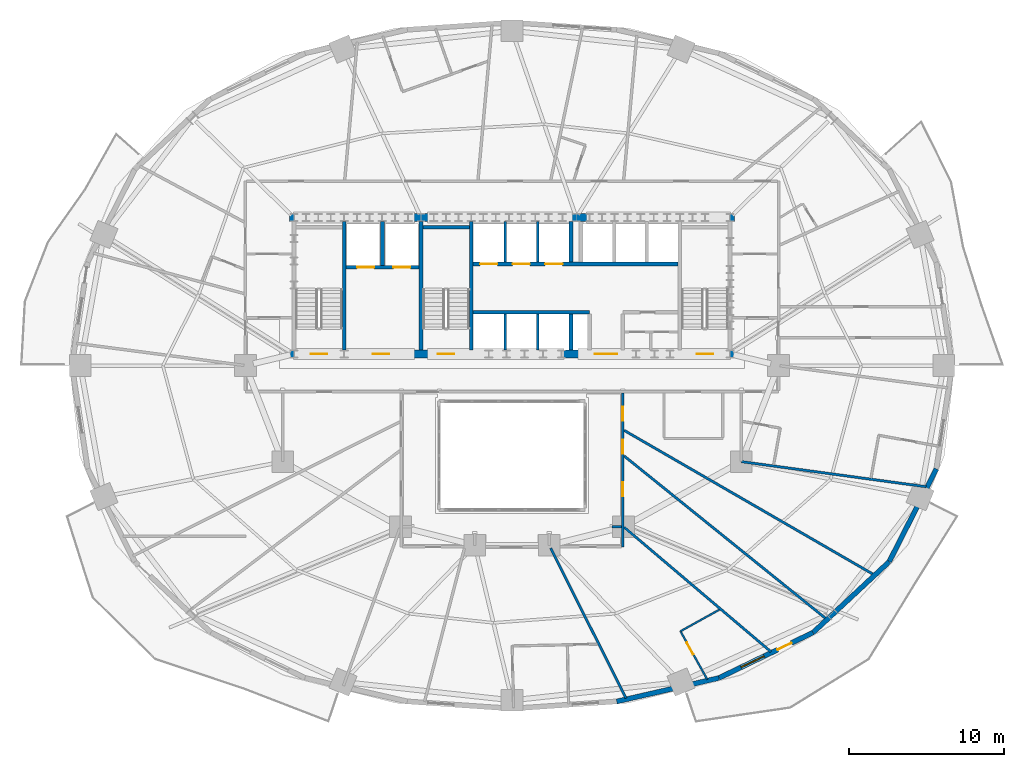
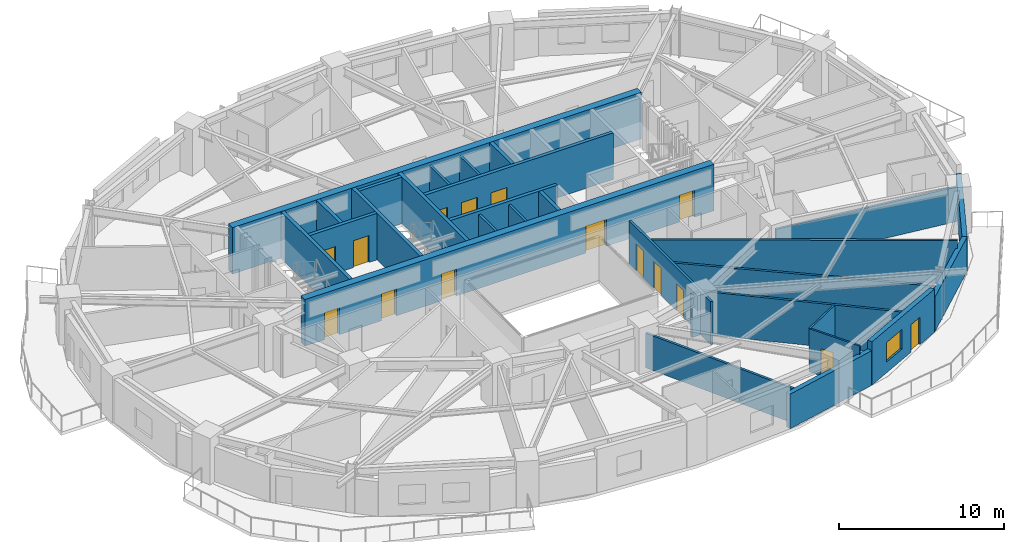
# One storey, part 9 of 15: 29 walls, 15 doors, 1 window, 16 openings.
"""IFC4 building model written with IfcOpenShell, lengths in metres."""

from ifc_helpers import new_model, si_unit, direction, frame, frame_2d, origin, place, context, subcontext, project, spatial, rectangle, extrude, material, layer, layer_set, type_object, element, fill, save


model = new_model("IFC4")

# Units and contexts
model_context = context("Model", 3, precision=1e-05, world=origin(), true_north=direction((0.0, 1.0)))
body_context = subcontext(model_context, "Body", "Model", "MODEL_VIEW")
ifc_project = project(units=[si_unit("LENGTHUNIT", "METRE"), si_unit("AREAUNIT", "SQUARE_METRE"), si_unit("VOLUMEUNIT", "CUBIC_METRE"), si_unit("PLANEANGLEUNIT", "RADIAN"), si_unit("MASSUNIT", "GRAM", prefix="KILO")], contexts=[model_context])

# Site, building, storey
site_placement = place(None, origin())
site = spatial("IfcSite", under=ifc_project, at=site_placement, CompositionType="ELEMENT")
building_placement = place(site_placement, origin())
building = spatial("IfcBuilding", under=site, at=building_placement, Name="Haldorwick Loom Tower", CompositionType="ELEMENT")
storey_placement = place(building_placement, frame((0.0, 0.0, 85.25)))
storey = spatial("IfcBuildingStorey", under=building, at=storey_placement, Name="L22", CompositionType="ELEMENT", Elevation=85.25)

# Wall
ifc_material_1 = material(Name="Pressed Clay Face Brick and Insulated Masonry Backup Assembly", Category="masonry")
ifc_layer_1 = layer(ifc_material_1, 0.320068359375, Name="Pressed Clay Face Brick and Insulated Masonry Backup Assembly", Category="masonry")
ifc_layer_set_1 = layer_set([ifc_layer_1], Name="Pressed Clay Face Brick and Insulated Masonry Backup Assembly")
wall_type_1 = type_object("IfcWallType", Name="ARC-WL-EXT320", PredefinedType="STANDARD", material=ifc_layer_set_1)
wall_1_placement = place(storey_placement, frame((42.757080078125, 4.325439453125, 0.0), z_axis=(0.0, 0.0, 1.0), x_axis=(0.974584177714, 0.224021607329, 0.0)))
element("IfcWall", 1, at=wall_1_placement, inside=storey, type_object=wall_type_1, Name="L22 Brick Pier and Spandrel Wall 20", PredefinedType="STANDARD", context=body_context, shape_type="SweptSolid", body=[
    extrude(rectangle(XDim=6.767822265625, YDim=0.320068359375, at=frame_2d((3.3837890625, 0.0))), origin(), (0.0, 0.0, 1.0), 2.569091796875),
])

# Wall, openings, door, window
wall_2_placement = place(storey_placement, frame((49.352783203125, 5.841552734375, 0.0), z_axis=(0.0, 0.0, 1.0), x_axis=(0.900510094661, 0.434835106004, 0.0)))
wall_2 = element("IfcWall", 2, at=wall_2_placement, inside=storey, type_object=wall_type_1, Name="L22 Brick Pier and Spandrel Wall 21", PredefinedType="STANDARD", context=body_context, shape_type="SweptSolid", body=[
    extrude(rectangle(XDim=6.744873046875, YDim=0.320068359375, at=frame_2d((3.37255859375, 0.0))), origin(), (0.0, 0.0, 1.0), 3.2099609375),
])
opening_1_placement = place(wall_2_placement, frame((4.198974609375, 0.0, 0.0)))
opening_1 = element("IfcOpeningElement", 3, at=opening_1_placement, cuts=wall_2, Name="Opening D-BL10", PredefinedType="OPENING", context=body_context, shape_type="SweptSolid", body=[
    extrude(rectangle(XDim=1.0, YDim=2.0400390625, at=frame_2d((0.5, 1.02001953125))), frame((0.0, 0.169921875, 0.0), z_axis=(0.0, -1.0, 0.0), x_axis=(1.0, 0.0, 0.0)), (0.0, 0.0, 1.0), 0.340087890625),
])
opening_2_placement = place(wall_2_placement, frame((1.5927734375, 0.0, 0.800048828125)))
opening_2 = element("IfcOpeningElement", 4, at=opening_2_placement, cuts=wall_2, Name="Opening W-01B", PredefinedType="OPENING", context=body_context, shape_type="SweptSolid", body=[
    extrude(rectangle(XDim=1.64990234375, YDim=1.449951171875, at=frame_2d((0.824951171875, 0.72509765625))), frame((0.0, 0.169921875, 0.0), z_axis=(0.0, -1.0, 0.0), x_axis=(1.0, 0.0, 0.0)), (0.0, 0.0, 1.0), 0.340087890625),
])
ifc_material_2 = material(Name="Thermally Broken Anodized Aluminium Curtain Wall Framing", Category="aluminium")
door_type_1 = type_object("IfcDoorType", Name="ARC-DR-BAL100", OperationType="NOTDEFINED", PredefinedType="DOOR", material=ifc_material_2)
door_1_placement = place(opening_1_placement, origin())
door_1 = element("IfcDoor", 5, at=door_1_placement, inside=storey, type_object=door_type_1, Name="L22 Outdoor Terrace Door SLB-L22-BAL_SE", OperationType="SINGLE_SWING_LEFT", OverallHeight=2.0400390625, OverallWidth=1.0, PredefinedType="DOOR", context=body_context, shape_type="SweptSolid", body=[
    extrude(rectangle(XDim=1.0, YDim=2.0400390625, at=frame_2d((0.5, 1.02001953125))), frame((0.0, 0.02490234375, 0.0), z_axis=(0.0, -1.0, 0.0), x_axis=(1.0, 0.0, 0.0)), (0.0, 0.0, 1.0), 0.050048828125),
])
fill(opening_1, door_1)
ifc_material_3 = material(Name="Triple-Glazed Low-E Argon Insulated Glazing Unit", Category="glass")
window_type = type_object("IfcWindowType", Name="ARC-WIN-W165", PartitioningType="SINGLE_PANEL", PredefinedType="WINDOW", material=ifc_material_3)
window_placement = place(opening_2_placement, origin())
window = element("IfcWindow", 6, at=window_placement, inside=storey, type_object=window_type, Name="L22 Deep-Set Zone 7A Window 21", OverallHeight=1.449951171875, OverallWidth=1.64990234375, PartitioningType="SINGLE_PANEL", PredefinedType="WINDOW", context=body_context, shape_type="SweptSolid", body=[
    extrude(rectangle(XDim=1.64990234375, YDim=1.449951171875, at=frame_2d((0.824951171875, 0.72509765625))), frame((0.0, 0.030029296875, 0.0), z_axis=(0.0, -1.0, 0.0), x_axis=(1.0, 0.0, 0.0)), (0.0, 0.0, 1.0), 0.06005859375),
])
fill(opening_2, window)

# Walls
wall_3_placement = place(storey_placement, frame((55.426513671875, 8.7744140625, 0.0), z_axis=(0.0, 0.0, 1.0), x_axis=(0.732137360086, 0.681157020052, 0.0)))
element("IfcWall", 7, at=wall_3_placement, inside=storey, type_object=wall_type_1, Name="L22 Brick Pier and Spandrel Wall 22", PredefinedType="STANDARD", context=body_context, shape_type="SweptSolid", body=[
    extrude(rectangle(XDim=6.709228515625, YDim=0.320068359375, at=frame_2d((3.3544921875, 0.0))), origin(), (0.0, 0.0, 1.0), 2.569091796875),
])
wall_4_placement = place(storey_placement, frame((60.338623046875, 13.344482421875, 0.0), z_axis=(0.0, 0.0, 1.0), x_axis=(0.453374078001, 0.89132033826, 0.0)))
element("IfcWall", 8, at=wall_4_placement, inside=storey, type_object=wall_type_1, Name="L22 Brick Pier and Spandrel Wall 23", PredefinedType="STANDARD", context=body_context, shape_type="SweptSolid", body=[
    extrude(rectangle(XDim=6.709716796875, YDim=0.320068359375, at=frame_2d((3.35498046875, 0.0))), origin(), (0.0, 0.0, 1.0), 2.569091796875),
])

# Wall, openings, doors
ifc_material_4 = material(Name="Fire-Rated Type X Gypsum Stud Assembly EI 60")
ifc_layer_2 = layer(ifc_material_4, 0.159912109375, Name="Fire-Rated Type X Gypsum Stud Assembly EI 60")
ifc_layer_set_2 = layer_set([ifc_layer_2], Name="Fire-Rated Type X Gypsum Stud Assembly EI 60")
wall_type_2 = type_object("IfcWallType", Name="ARC-WL-FIRE160", PredefinedType="PARTITIONING", material=ifc_layer_set_2)
wall_5_placement = place(storey_placement, frame((43.14990234375, 14.300048828125, 0.0), z_axis=(0.0, 0.0, 1.0), x_axis=(0.0, 1.0, 0.0)))
wall_5 = element("IfcWall", 9, at=wall_5_placement, inside=storey, type_object=wall_type_2, Name="L22 Residential Fire Partition L22-CR-AE", PredefinedType="PARTITIONING", context=body_context, shape_type="SweptSolid", body=[
    extrude(rectangle(XDim=9.9169921875, YDim=0.159912109375, at=frame_2d((4.95849609375, 0.0))), origin(), (0.0, 0.0, 1.0), 3.195068359375),
])
opening_3_placement = place(wall_5_placement, frame((3.27880859375, 0.0, 0.0)))
opening_3 = element("IfcOpeningElement", 10, at=opening_3_placement, cuts=wall_5, Name="Opening D-FD60A", PredefinedType="OPENING", context=body_context, shape_type="SweptSolid", body=[
    extrude(rectangle(XDim=0.89990234375, YDim=2.0, at=frame_2d((0.449951171875, 1.0))), frame((0.0, 0.08984375, 0.0), z_axis=(0.0, -1.0, 0.0), x_axis=(1.0, 0.0, 0.0)), (0.0, 0.0, 1.0), 0.179931640625),
])
opening_4_placement = place(wall_5_placement, frame((8.144775390625, 0.0, 0.0)))
opening_4 = element("IfcOpeningElement", 11, at=opening_4_placement, cuts=wall_5, Name="Opening D-FD60A", PredefinedType="OPENING", context=body_context, shape_type="SweptSolid", body=[
    extrude(rectangle(XDim=0.89990234375, YDim=2.0, at=frame_2d((0.449951171875, 1.0))), frame((0.0, 0.08984375, 0.0), z_axis=(0.0, -1.0, 0.0), x_axis=(1.0, 0.0, 0.0)), (0.0, 0.0, 1.0), 0.179931640625),
])
opening_5_placement = place(wall_5_placement, frame((6.021728515625, 0.0, 0.0)))
opening_5 = element("IfcOpeningElement", 12, at=opening_5_placement, cuts=wall_5, Name="Opening D-FD60A", PredefinedType="OPENING", context=body_context, shape_type="SweptSolid", body=[
    extrude(rectangle(XDim=0.89990234375, YDim=2.0, at=frame_2d((0.449951171875, 1.0))), frame((0.0, 0.08984375, 0.0), z_axis=(0.0, -1.0, 0.0), x_axis=(1.0, 0.0, 0.0)), (0.0, 0.0, 1.0), 0.179931640625),
])
ifc_material_5 = material(Name="Hollow Steel Fire Door Assembly", Category="steel")
door_type_2 = type_object("IfcDoorType", Name="ARC-DR-FD60-90", OperationType="NOTDEFINED", PredefinedType="DOOR", material=ifc_material_5)
door_2_placement = place(opening_3_placement, origin())
door_2 = element("IfcDoor", 13, at=door_2_placement, inside=storey, type_object=door_type_2, Name="L22 L22 South Atrium Corridor to Shared Resident Dining Hall 9 Door", OperationType="SINGLE_SWING_RIGHT", OverallHeight=2.0, OverallWidth=0.89990234375, PredefinedType="DOOR", context=body_context, shape_type="SweptSolid", body=[
    extrude(rectangle(XDim=0.89990234375, YDim=2.0, at=frame_2d((0.449951171875, 1.0))), frame((0.0, 0.02490234375, 0.0), z_axis=(0.0, -1.0, 0.0), x_axis=(1.0, 0.0, 0.0)), (0.0, 0.0, 1.0), 0.050048828125),
])
fill(opening_3, door_2)
door_3_placement = place(opening_4_placement, origin())
door_3 = element("IfcDoor", 14, at=door_3_placement, inside=storey, type_object=door_type_2, Name="L22 L22 South Atrium Corridor to Co-Working Office 2 Door", OperationType="SINGLE_SWING_RIGHT", OverallHeight=2.0, OverallWidth=0.89990234375, PredefinedType="DOOR", context=body_context, shape_type="SweptSolid", body=[
    extrude(rectangle(XDim=0.89990234375, YDim=2.0, at=frame_2d((0.449951171875, 1.0))), frame((0.0, 0.02490234375, 0.0), z_axis=(0.0, -1.0, 0.0), x_axis=(1.0, 0.0, 0.0)), (0.0, 0.0, 1.0), 0.050048828125),
])
fill(opening_4, door_3)
door_4_placement = place(opening_5_placement, origin())
door_4 = element("IfcDoor", 15, at=door_4_placement, inside=storey, type_object=door_type_2, Name="L22 L22 South Atrium Corridor to Shared Resident Dining Hall 13 Door", OperationType="SINGLE_SWING_LEFT", OverallHeight=2.0, OverallWidth=0.89990234375, PredefinedType="DOOR", context=body_context, shape_type="SweptSolid", body=[
    extrude(rectangle(XDim=0.89990234375, YDim=2.0, at=frame_2d((0.449951171875, 1.0))), frame((0.0, 0.02490234375, 0.0), z_axis=(0.0, -1.0, 0.0), x_axis=(1.0, 0.0, 0.0)), (0.0, 0.0, 1.0), 0.050048828125),
])
fill(opening_5, door_4)

# Walls
wall_6_placement = place(storey_placement, frame((50.800048828125, 19.800048828125, 0.0), z_axis=(0.0, 0.0, 1.0), x_axis=(0.990914409047, -0.13449399222, 0.0)))
element("IfcWall", 16, at=wall_6_placement, inside=storey, type_object=wall_type_2, Name="L22 Residential Fire Partition L22-ICR-03", PredefinedType="PARTITIONING", context=body_context, shape_type="SweptSolid", body=[
    extrude(rectangle(XDim=12.03515625, YDim=0.159912109375, at=frame_2d((6.017578125, 0.0))), origin(), (0.0, 0.0, 1.0), 2.568115234375),
])
wall_7_placement = place(storey_placement, frame((43.23291015625, 15.572021484375, 0.0), z_axis=(0.0, 0.0, 1.0), x_axis=(0.762606935213, -0.646862166435, 0.0)))
element("IfcWall", 17, at=wall_7_placement, inside=storey, type_object=wall_type_2, Name="L22 Residential Fire Partition L22-ICR-05", PredefinedType="PARTITIONING", context=body_context, shape_type="SweptSolid", body=[
    extrude(rectangle(XDim=12.42578125, YDim=0.159912109375, at=frame_2d((6.212890625, 0.0))), origin(), (0.0, 0.0, 1.0), 3.195068359375),
])
wall_8_placement = place(storey_placement, frame((38.491943359375, 14.217041015625, 0.0), z_axis=(0.0, 0.0, 1.0), x_axis=(0.449158251696, -0.893452217488, 0.0)))
element("IfcWall", 18, at=wall_8_placement, inside=storey, type_object=wall_type_2, Name="L22 Residential Fire Partition L22-ICR-07", PredefinedType="PARTITIONING", context=body_context, shape_type="SweptSolid", body=[
    extrude(rectangle(XDim=10.841064453125, YDim=0.159912109375, at=frame_2d((5.42041015625, 0.0))), origin(), (0.0, 0.0, 1.0), 2.568115234375),
])
wall_9_placement = place(storey_placement, frame((42.449951171875, 15.60009765625, 0.0), z_axis=(0.0, 0.0, 1.0), x_axis=(1.0, 0.0, 0.0)))
element("IfcWall", 19, at=wall_9_placement, inside=storey, type_object=wall_type_2, Name="L22 Residential Fire Partition L22-ICA-04", PredefinedType="PARTITIONING", context=body_context, shape_type="SweptSolid", body=[
    extrude(rectangle(XDim=0.616943359375, YDim=0.159912109375, at=frame_2d((0.30859375, 0.0))), origin(), (0.0, 0.0, 1.0), 3.195068359375),
])
wall_10_placement = place(storey_placement, frame((43.23291015625, 21.82080078125, 0.0), z_axis=(0.0, 0.0, 1.0), x_axis=(0.865844235813, -0.500313660927, 0.0)))
element("IfcWall", 20, at=wall_10_placement, inside=storey, type_object=wall_type_2, Name="L22 Suite Split Wall", PredefinedType="PARTITIONING", context=body_context, shape_type="SweptSolid", body=[
    extrude(rectangle(XDim=18.60986328125, YDim=0.159912109375, at=frame_2d((9.304931640625, 0.0))), origin(), (0.0, 0.0, 1.0), 3.195068359375),
])
wall_11_placement = place(storey_placement, frame((43.23291015625, 20.16943359375, 0.0), z_axis=(0.0, 0.0, 1.0), x_axis=(0.77856047963, -0.627569581447, 0.0)))
element("IfcWall", 21, at=wall_11_placement, inside=storey, type_object=wall_type_2, Name="L22 Suite Split Wall", PredefinedType="PARTITIONING", context=body_context, shape_type="SweptSolid", body=[
    extrude(rectangle(XDim=16.754638671875, YDim=0.159912109375, at=frame_2d((8.37744140625, 0.0))), origin(), (0.0, 0.0, 1.0), 2.568115234375),
])
ifc_material_6 = material(Name="Acoustic Gypsum Stud Assembly STC 55")
ifc_layer_3 = layer(ifc_material_6, 0.1201171875, Name="Acoustic Gypsum Stud Assembly STC 55")
ifc_layer_set_3 = layer_set([ifc_layer_3], Name="Acoustic Gypsum Stud Assembly STC 55")
wall_type_3 = type_object("IfcWallType", Name="ARC-WL-PART120", PredefinedType="PARTITIONING", material=ifc_layer_set_3)
wall_12_placement = place(storey_placement, frame((46.872314453125, 8.857421875, 0.0), z_axis=(0.0, 0.0, 1.0), x_axis=(0.874341922952, 0.485310417948, 0.0)))
element("IfcWall", 22, at=wall_12_placement, inside=storey, type_object=wall_type_3, Name="L22 Unit 22A Interior Partition", PredefinedType="PARTITIONING", context=body_context, shape_type="SweptSolid", body=[
    extrude(rectangle(XDim=2.867919921875, YDim=0.1201171875, at=frame_2d((1.43408203125, 0.0))), origin(), (0.0, 0.0, 1.0), 3.195068359375),
])

# Wall, opening, door
wall_13_placement = place(storey_placement, frame((46.872314453125, 8.857421875, 0.0), z_axis=(0.0, 0.0, 1.0), x_axis=(0.485236401974, -0.874383002007, 0.0)))
wall_13 = element("IfcWall", 23, at=wall_13_placement, inside=storey, type_object=wall_type_3, Name="L22 Unit 22A Interior Partition", PredefinedType="PARTITIONING", context=body_context, shape_type="SweptSolid", body=[
    extrude(rectangle(XDim=3.56982421875, YDim=0.1201171875, at=frame_2d((1.784912109375, 0.0))), origin(), (0.0, 0.0, 1.0), 3.195068359375),
])
opening_6_placement = place(wall_13_placement, frame((0.8271484375, 0.0, 0.0)))
opening_6 = element("IfcOpeningElement", 24, at=opening_6_placement, cuts=wall_13, Name="Opening D-BT88", PredefinedType="OPENING", context=body_context, shape_type="SweptSolid", body=[
    extrude(rectangle(XDim=0.8798828125, YDim=2.02001953125, at=frame_2d((0.43994140625, 1.010009765625))), frame((0.0, 0.070068359375, 0.0), z_axis=(0.0, -1.0, 0.0), x_axis=(1.0, 0.0, 0.0)), (0.0, 0.0, 1.0), 0.14013671875),
])
ifc_material_7 = material(Name="Solid Core Birch Architectural Door")
door_type_3 = type_object("IfcDoorType", Name="ARC-DR-BATH88", OperationType="NOTDEFINED", PredefinedType="DOOR", material=ifc_material_7)
door_5_placement = place(opening_6_placement, origin())
door_5 = element("IfcDoor", 25, at=door_5_placement, inside=storey, type_object=door_type_3, Name="L22 Unit 22A Bathroom to Unit 22A Kitchen and Studio Living Room Door", OperationType="SINGLE_SWING_RIGHT", OverallHeight=2.02001953125, OverallWidth=0.8798828125, PredefinedType="DOOR", context=body_context, shape_type="SweptSolid", body=[
    extrude(rectangle(XDim=0.8798828125, YDim=2.02001953125, at=frame_2d((0.43994140625, 1.010009765625))), frame((0.0, 0.02490234375, 0.0), z_axis=(0.0, -1.0, 0.0), x_axis=(1.0, 0.0, 0.0)), (0.0, 0.0, 1.0), 0.050048828125),
])
fill(opening_6, door_5)

# Walls
ifc_material_8 = material(Name="Fire-Rated Type X Gypsum Stud Assembly EI 120")
ifc_layer_4 = layer(ifc_material_8, 0.1650390625, Name="Fire-Rated Type X Gypsum Stud Assembly EI 120")
ifc_layer_set_4 = layer_set([ifc_layer_4], Name="Fire-Rated Type X Gypsum Stud Assembly EI 120")
wall_type_4 = type_object("IfcWallType", Name="ARC-WL-SHAFT160", PredefinedType="MOVABLE", material=ifc_layer_set_4)
for number, where, z_axis, x_axis, name in (
    (26, (35.550048828125, 32.673095703125, 0.0), (0.0, 0.0, 1.0), (0.0, 1.0, 0.0), "L22 Low-Rise Hoistway Divider 1"),
    (27, (37.64990234375, 32.673095703125, 0.0), (0.0, 0.0, 1.0), (0.0, 1.0, 0.0), "L22 Low-Rise Hoistway Divider 2"),
):
    element("IfcWall", number, at=place(storey_placement, frame(where, z_axis=z_axis, x_axis=x_axis)), inside=storey, type_object=wall_type_4, Name=name, PredefinedType="MOVABLE", context=body_context, shape_type="SweptSolid", body=[
        extrude(rectangle(XDim=2.6240234375, YDim=0.159912109375, at=frame_2d((1.31201171875, 0.0))), origin(), (0.0, 0.0, 1.0), 3.195068359375),
    ])
for number, where, z_axis, x_axis, name in (
    (28, (35.550048828125, 27.0029296875, 0.0), (0.0, 0.0, 1.0), (0.0, 1.0, 0.0), "L22 Mid-Rise Hoistway Divider 1"),
    (29, (37.64990234375, 27.0029296875, 0.0), (0.0, 0.0, 1.0), (0.0, 1.0, 0.0), "L22 Mid-Rise Hoistway Divider 2"),
):
    element("IfcWall", number, at=place(storey_placement, frame(where, z_axis=z_axis, x_axis=x_axis)), inside=storey, type_object=wall_type_4, Name=name, PredefinedType="MOVABLE", context=body_context, shape_type="SweptSolid", body=[
        extrude(rectangle(XDim=2.323974609375, YDim=0.159912109375, at=frame_2d((1.162109375, 0.0))), origin(), (0.0, 0.0, 1.0), 3.195068359375),
    ])

# Wall, openings, doors
ifc_material_9 = material(Name="Concrete C60 (60 MPa)", Category="concrete")
ifc_layer_5 = layer(ifc_material_9, 0.5, Name="Concrete C60 (60 MPa)", Category="concrete")
ifc_layer_set_5 = layer_set([ifc_layer_5], Name="Concrete C60 (60 MPa)")
wall_type_5 = type_object("IfcWallType", Name="STR-WL-CORE500", PredefinedType="SHEAR", material=ifc_layer_set_5)
wall_14_placement = place(storey_placement, frame((21.64990234375, 26.75, 0.0), z_axis=(0.0, 0.0, 1.0), x_axis=(1.0, 0.0, 0.0)))
wall_14 = element("IfcWall", 30, at=wall_14_placement, inside=storey, type_object=wall_type_5, Name="L22 Core Shear Wall S", PredefinedType="SHEAR", context=body_context, shape_type="SweptSolid", body=[
    extrude(rectangle(XDim=28.7001953125, YDim=0.5, at=frame_2d((14.35009765625, 0.0))), origin(), (0.0, 0.0, 1.0), 3.449951171875),
])
opening_7_placement = place(wall_14_placement, frame((1.375, 0.0, 0.0)))
opening_7 = element("IfcOpeningElement", 31, at=opening_7_placement, cuts=wall_14, Name="Opening D-FD60", PredefinedType="OPENING", context=body_context, shape_type="SweptSolid", body=[
    extrude(rectangle(XDim=1.050048828125, YDim=2.0, at=frame_2d((0.52490234375, 1.0))), frame((0.0, 0.260009765625, 0.0), z_axis=(0.0, -1.0, 0.0), x_axis=(1.0, 0.0, 0.0)), (0.0, 0.0, 1.0), 0.52001953125),
])
opening_8_placement = place(wall_14_placement, frame((5.375, 0.0, 0.0)))
opening_8 = element("IfcOpeningElement", 32, at=opening_8_placement, cuts=wall_14, Name="Opening D-FD60", PredefinedType="OPENING", context=body_context, shape_type="SweptSolid", body=[
    extrude(rectangle(XDim=1.050048828125, YDim=2.0, at=frame_2d((0.52490234375, 1.0))), frame((0.0, 0.260009765625, 0.0), z_axis=(0.0, -1.0, 0.0), x_axis=(1.0, 0.0, 0.0)), (0.0, 0.0, 1.0), 0.52001953125),
])
opening_9_placement = place(wall_14_placement, frame((9.574951171875, 0.0, 0.0)))
opening_9 = element("IfcOpeningElement", 33, at=opening_9_placement, cuts=wall_14, Name="Opening D-FD60", PredefinedType="OPENING", context=body_context, shape_type="SweptSolid", body=[
    extrude(rectangle(XDim=1.050048828125, YDim=2.0, at=frame_2d((0.52490234375, 1.0))), frame((0.0, 0.260009765625, 0.0), z_axis=(0.0, -1.0, 0.0), x_axis=(1.0, 0.0, 0.0)), (0.0, 0.0, 1.0), 0.52001953125),
])
opening_10_placement = place(wall_14_placement, frame((19.705078125, 0.0, 0.0)))
opening_10 = element("IfcOpeningElement", 34, at=opening_10_placement, cuts=wall_14, Name="Opening D-LB15", PredefinedType="OPENING", context=body_context, shape_type="SweptSolid", body=[
    extrude(rectangle(XDim=1.449951171875, YDim=2.0, at=frame_2d((0.72509765625, 1.0))), frame((0.0, 0.260009765625, 0.0), z_axis=(0.0, -1.0, 0.0), x_axis=(1.0, 0.0, 0.0)), (0.0, 0.0, 1.0), 0.52001953125),
])
opening_11_placement = place(wall_14_placement, frame((26.27490234375, 0.0, 0.0)))
opening_11 = element("IfcOpeningElement", 35, at=opening_11_placement, cuts=wall_14, Name="Opening D-FD60", PredefinedType="OPENING", context=body_context, shape_type="SweptSolid", body=[
    extrude(rectangle(XDim=1.050048828125, YDim=2.0, at=frame_2d((0.52490234375, 1.0))), frame((0.0, 0.260009765625, 0.0), z_axis=(0.0, -1.0, 0.0), x_axis=(1.0, 0.0, 0.0)), (0.0, 0.0, 1.0), 0.52001953125),
])
door_type_4 = type_object("IfcDoorType", Name="ARC-DR-FD60", OperationType="NOTDEFINED", PredefinedType="DOOR", material=ifc_material_5)
door_6_placement = place(opening_7_placement, origin())
door_6 = element("IfcDoor", 36, at=door_6_placement, inside=storey, type_object=door_type_4, Name="L22 Exit Stair ST-01 Fire Door", OperationType="SINGLE_SWING_RIGHT", OverallHeight=2.0, OverallWidth=1.050048828125, PredefinedType="DOOR", context=body_context, shape_type="SweptSolid", body=[
    extrude(rectangle(XDim=1.050048828125, YDim=2.0, at=frame_2d((0.52490234375, 1.0))), frame((0.0, 0.02490234375, 0.0), z_axis=(0.0, -1.0, 0.0), x_axis=(1.0, 0.0, 0.0)), (0.0, 0.0, 1.0), 0.050048828125),
])
fill(opening_7, door_6)
door_7_placement = place(opening_8_placement, origin())
door_7 = element("IfcDoor", 37, at=door_7_placement, inside=storey, type_object=door_type_4, Name="L22 Firefighting Lift Lobby Fire Door", OperationType="SINGLE_SWING_LEFT", OverallHeight=2.0, OverallWidth=1.050048828125, PredefinedType="DOOR", context=body_context, shape_type="SweptSolid", body=[
    extrude(rectangle(XDim=1.050048828125, YDim=2.0, at=frame_2d((0.52490234375, 1.0))), frame((0.0, 0.02490234375, 0.0), z_axis=(0.0, -1.0, 0.0), x_axis=(1.0, 0.0, 0.0)), (0.0, 0.0, 1.0), 0.050048828125),
])
fill(opening_8, door_7)
door_8_placement = place(opening_9_placement, origin())
door_8 = element("IfcDoor", 38, at=door_8_placement, inside=storey, type_object=door_type_4, Name="L22 Exit Stair ST-03 Fire Door", OperationType="SINGLE_SWING_LEFT", OverallHeight=2.0, OverallWidth=1.050048828125, PredefinedType="DOOR", context=body_context, shape_type="SweptSolid", body=[
    extrude(rectangle(XDim=1.050048828125, YDim=2.0, at=frame_2d((0.52490234375, 1.0))), frame((0.0, 0.02490234375, 0.0), z_axis=(0.0, -1.0, 0.0), x_axis=(1.0, 0.0, 0.0)), (0.0, 0.0, 1.0), 0.050048828125),
])
fill(opening_9, door_8)
door_9_placement = place(opening_11_placement, origin())
door_9 = element("IfcDoor", 39, at=door_9_placement, inside=storey, type_object=door_type_4, Name="L22 Exit Stair ST-02 Fire Door", OperationType="SINGLE_SWING_LEFT", OverallHeight=2.0, OverallWidth=1.050048828125, PredefinedType="DOOR", context=body_context, shape_type="SweptSolid", body=[
    extrude(rectangle(XDim=1.050048828125, YDim=2.0, at=frame_2d((0.52490234375, 1.0))), frame((0.0, 0.02490234375, 0.0), z_axis=(0.0, -1.0, 0.0), x_axis=(1.0, 0.0, 0.0)), (0.0, 0.0, 1.0), 0.050048828125),
])
fill(opening_11, door_9)
ifc_material_10 = material(Name="Thermally Broken Anodized Aluminium and Tempered Glass", Category="aluminium")
door_type_5 = type_object("IfcDoorType", Name="ARC-DR-LOB150", OperationType="NOTDEFINED", PredefinedType="DOOR", material=ifc_material_10)
door_10_placement = place(opening_10_placement, frame((1.449951171875, 0.0, 0.0), z_axis=(0.0, 0.0, 1.0), x_axis=(-1.0, 0.0, 0.0)))
door_10 = element("IfcDoor", 40, at=door_10_placement, inside=storey, type_object=door_type_5, Name="L22 Passenger Lift Lobby Fire Door", OperationType="DOUBLE_DOOR_SINGLE_SWING", OverallHeight=2.0, OverallWidth=1.449951171875, PredefinedType="DOOR", context=body_context, shape_type="SweptSolid", body=[
    extrude(rectangle(XDim=1.449951171875, YDim=2.0, at=frame_2d((0.72509765625, 1.0))), frame((0.0, 0.02490234375, 0.0), z_axis=(0.0, -1.0, 0.0), x_axis=(1.0, 0.0, 0.0)), (0.0, 0.0, 1.0), 0.050048828125),
])
fill(opening_10, door_10)

# Walls
wall_15_placement = place(storey_placement, frame((50.35009765625, 35.550048828125, 0.0), z_axis=(0.0, 0.0, 1.0), x_axis=(-1.0, 0.0, 0.0)))
element("IfcWall", 41, at=wall_15_placement, inside=storey, type_object=wall_type_5, Name="L22 Core Shear Wall N", PredefinedType="SHEAR", context=body_context, shape_type="SweptSolid", body=[
    extrude(rectangle(XDim=28.7001953125, YDim=0.5, at=frame_2d((14.35009765625, 0.0))), origin(), (0.0, 0.0, 1.0), 3.449951171875),
])
ifc_material_11 = material(Name="Concrete C50 (50 MPa)", Category="concrete")
ifc_layer_6 = layer(ifc_material_11, 0.239990234375, Name="Concrete C50 (50 MPa)", Category="concrete")
ifc_layer_set_6 = layer_set([ifc_layer_6], Name="Concrete C50 (50 MPa)")
wall_type_6 = type_object("IfcWallType", Name="STR-WL-SHAFT240", PredefinedType="SHEAR", material=ifc_layer_set_6)
for number, where, z_axis, x_axis, name in (
    (42, (25.169921875, 27.0029296875, 0.0), (0.0, 0.0, 1.0), (0.0, 1.0, 0.0), "L22 Core Shear Wall 1"),
    (43, (30.1298828125, 27.0029296875, 0.0), (0.0, 0.0, 1.0), (0.0, 1.0, 0.0), "L22 Core Shear Wall 2"),
    (44, (33.3701171875, 27.0029296875, 0.0), (0.0, 0.0, 1.0), (0.0, 1.0, 0.0), "L22 Core Shear Wall 3"),
):
    element("IfcWall", number, at=place(storey_placement, frame(where, z_axis=z_axis, x_axis=x_axis)), inside=storey, type_object=wall_type_6, Name=name, PredefinedType="SHEAR", context=body_context, shape_type="SweptSolid", body=[
        extrude(rectangle(XDim=8.294189453125, YDim=0.239990234375, at=frame_2d((4.14697265625, 0.0))), origin(), (0.0, 0.0, 1.0), 3.449951171875),
    ])
wall_16_placement = place(storey_placement, frame((30.2529296875, 34.919921875, 0.0), z_axis=(0.0, 0.0, 1.0), x_axis=(1.0, 0.0, 0.0)))
element("IfcWall", 45, at=wall_16_placement, inside=storey, type_object=wall_type_6, Name="L22 Core Shear Wall 3N", PredefinedType="SHEAR", context=body_context, shape_type="SweptSolid", body=[
    extrude(rectangle(XDim=2.994140625, YDim=0.239990234375, at=frame_2d((1.4970703125, 0.0))), origin(), (0.0, 0.0, 1.0), 3.449951171875),
])

# Wall, openings, doors
wall_17_placement = place(storey_placement, frame((25.29296875, 32.35009765625, 0.0), z_axis=(0.0, 0.0, 1.0), x_axis=(1.0, 0.0, 0.0)))
wall_17 = element("IfcWall", 46, at=wall_17_placement, inside=storey, type_object=wall_type_6, Name="L22 Core Shear Wall FF", PredefinedType="SHEAR", context=body_context, shape_type="SweptSolid", body=[
    extrude(rectangle(XDim=4.714111328125, YDim=0.239990234375, at=frame_2d((2.35693359375, 0.0))), origin(), (0.0, 0.0, 1.0), 3.449951171875),
])
opening_12_placement = place(wall_17_placement, frame((0.70703125, 0.0, 0.0)))
opening_12 = element("IfcOpeningElement", 47, at=opening_12_placement, cuts=wall_17, Name="Opening LD-FF1", PredefinedType="OPENING", context=body_context, shape_type="SweptSolid", body=[
    extrude(rectangle(XDim=1.10009765625, YDim=2.0, at=frame_2d((0.550048828125, 1.0))), frame((0.0, 0.1298828125, 0.0), z_axis=(0.0, -1.0, 0.0), x_axis=(1.0, 0.0, 0.0)), (0.0, 0.0, 1.0), 0.260009765625),
])
opening_13_placement = place(wall_17_placement, frame((3.056884765625, 0.0, 0.0)))
opening_13 = element("IfcOpeningElement", 48, at=opening_13_placement, cuts=wall_17, Name="Opening LD-FF2", PredefinedType="OPENING", context=body_context, shape_type="SweptSolid", body=[
    extrude(rectangle(XDim=1.10009765625, YDim=2.0, at=frame_2d((0.550048828125, 1.0))), frame((0.0, 0.1298828125, 0.0), z_axis=(0.0, -1.0, 0.0), x_axis=(1.0, 0.0, 0.0)), (0.0, 0.0, 1.0), 0.260009765625),
])
door_type_6 = type_object("IfcDoorType", Name="ARC-DR-LD-FF", OperationType="NOTDEFINED", PredefinedType="USERDEFINED", material=ifc_material_5)
door_11_placement = place(opening_12_placement, origin())
door_11 = element("IfcDoor", 49, at=door_11_placement, inside=storey, type_object=door_type_6, Name="L22 Lift LF-FF1 Sliding Landing Door", ObjectType="LANDING DOOR", OperationType="DOUBLE_DOOR_SLIDING", OverallHeight=2.0, OverallWidth=1.10009765625, PredefinedType="USERDEFINED", context=body_context, shape_type="SweptSolid", body=[
    extrude(rectangle(XDim=1.10009765625, YDim=2.0, at=frame_2d((0.550048828125, 1.0))), frame((0.0, 0.02490234375, 0.0), z_axis=(0.0, -1.0, 0.0), x_axis=(1.0, 0.0, 0.0)), (0.0, 0.0, 1.0), 0.050048828125),
])
fill(opening_12, door_11)
door_12_placement = place(opening_13_placement, origin())
door_12 = element("IfcDoor", 50, at=door_12_placement, inside=storey, type_object=door_type_6, Name="L22 Lift LF-FF2 Sliding Landing Door", ObjectType="LANDING DOOR", OperationType="DOUBLE_DOOR_SLIDING", OverallHeight=2.0, OverallWidth=1.10009765625, PredefinedType="USERDEFINED", context=body_context, shape_type="SweptSolid", body=[
    extrude(rectangle(XDim=1.10009765625, YDim=2.0, at=frame_2d((0.550048828125, 1.0))), frame((0.0, 0.02490234375, 0.0), z_axis=(0.0, -1.0, 0.0), x_axis=(1.0, 0.0, 0.0)), (0.0, 0.0, 1.0), 0.050048828125),
])
fill(opening_13, door_12)

# Wall
wall_18_placement = place(storey_placement, frame((27.64990234375, 32.472900390625, 0.0), z_axis=(0.0, 0.0, 1.0), x_axis=(0.0, 1.0, 0.0)))
element("IfcWall", 51, at=wall_18_placement, inside=storey, type_object=wall_type_6, Name="L22 Core Shear Wall FFD", PredefinedType="SHEAR", context=body_context, shape_type="SweptSolid", body=[
    extrude(rectangle(XDim=2.82421875, YDim=0.239990234375, at=frame_2d((1.412109375, 0.0))), origin(), (0.0, 0.0, 1.0), 3.449951171875),
])

# Wall, openings, doors
wall_19_placement = place(storey_placement, frame((33.492919921875, 32.550048828125, 0.0), z_axis=(0.0, 0.0, 1.0), x_axis=(1.0, 0.0, 0.0)))
wall_19 = element("IfcWall", 52, at=wall_19_placement, inside=storey, type_object=wall_type_6, Name="L22 Core Shear Wall LN", PredefinedType="SHEAR", context=body_context, shape_type="SweptSolid", body=[
    extrude(rectangle(XDim=13.214111328125, YDim=0.239990234375, at=frame_2d((6.60693359375, 0.0))), origin(), (0.0, 0.0, 1.0), 3.449951171875),
])
opening_14_placement = place(wall_19_placement, frame((0.447021484375, 0.0, 0.0)))
opening_14 = element("IfcOpeningElement", 53, at=opening_14_placement, cuts=wall_19, Name="Opening LD-L1", PredefinedType="OPENING", context=body_context, shape_type="SweptSolid", body=[
    extrude(rectangle(XDim=1.1201171875, YDim=2.0, at=frame_2d((0.56005859375, 1.0))), frame((0.0, 0.1298828125, 0.0), z_axis=(0.0, -1.0, 0.0), x_axis=(1.0, 0.0, 0.0)), (0.0, 0.0, 1.0), 0.260009765625),
])
opening_15_placement = place(wall_19_placement, frame((2.547119140625, 0.0, 0.0)))
opening_15 = element("IfcOpeningElement", 54, at=opening_15_placement, cuts=wall_19, Name="Opening LD-L2", PredefinedType="OPENING", context=body_context, shape_type="SweptSolid", body=[
    extrude(rectangle(XDim=1.1201171875, YDim=2.0, at=frame_2d((0.56005859375, 1.0))), frame((0.0, 0.1298828125, 0.0), z_axis=(0.0, -1.0, 0.0), x_axis=(1.0, 0.0, 0.0)), (0.0, 0.0, 1.0), 0.260009765625),
])
opening_16_placement = place(wall_19_placement, frame((4.64697265625, 0.0, 0.0)))
opening_16 = element("IfcOpeningElement", 55, at=opening_16_placement, cuts=wall_19, Name="Opening LD-L3", PredefinedType="OPENING", context=body_context, shape_type="SweptSolid", body=[
    extrude(rectangle(XDim=1.1201171875, YDim=2.0, at=frame_2d((0.56005859375, 1.0))), frame((0.0, 0.1298828125, 0.0), z_axis=(0.0, -1.0, 0.0), x_axis=(1.0, 0.0, 0.0)), (0.0, 0.0, 1.0), 0.260009765625),
])
door_type_7 = type_object("IfcDoorType", Name="ARC-DR-LD-PAX", OperationType="NOTDEFINED", PredefinedType="USERDEFINED", material=ifc_material_5)
door_13_placement = place(opening_14_placement, origin())
door_13 = element("IfcDoor", 56, at=door_13_placement, inside=storey, type_object=door_type_7, Name="L22 Lift LF-L1 Sliding Landing Door", ObjectType="LANDING DOOR", OperationType="DOUBLE_DOOR_SLIDING", OverallHeight=2.0, OverallWidth=1.1201171875, PredefinedType="USERDEFINED", context=body_context, shape_type="SweptSolid", body=[
    extrude(rectangle(XDim=1.1201171875, YDim=2.0, at=frame_2d((0.56005859375, 1.0))), frame((0.0, 0.02490234375, 0.0), z_axis=(0.0, -1.0, 0.0), x_axis=(1.0, 0.0, 0.0)), (0.0, 0.0, 1.0), 0.050048828125),
])
fill(opening_14, door_13)
door_14_placement = place(opening_15_placement, origin())
door_14 = element("IfcDoor", 57, at=door_14_placement, inside=storey, type_object=door_type_7, Name="L22 Lift LF-L2 Sliding Landing Door", ObjectType="LANDING DOOR", OperationType="DOUBLE_DOOR_SLIDING", OverallHeight=2.0, OverallWidth=1.1201171875, PredefinedType="USERDEFINED", context=body_context, shape_type="SweptSolid", body=[
    extrude(rectangle(XDim=1.1201171875, YDim=2.0, at=frame_2d((0.56005859375, 1.0))), frame((0.0, 0.02490234375, 0.0), z_axis=(0.0, -1.0, 0.0), x_axis=(1.0, 0.0, 0.0)), (0.0, 0.0, 1.0), 0.050048828125),
])
fill(opening_15, door_14)
door_15_placement = place(opening_16_placement, origin())
door_15 = element("IfcDoor", 58, at=door_15_placement, inside=storey, type_object=door_type_7, Name="L22 Lift LF-L3 Sliding Landing Door", ObjectType="LANDING DOOR", OperationType="DOUBLE_DOOR_SLIDING", OverallHeight=2.0, OverallWidth=1.1201171875, PredefinedType="USERDEFINED", context=body_context, shape_type="SweptSolid", body=[
    extrude(rectangle(XDim=1.1201171875, YDim=2.0, at=frame_2d((0.56005859375, 1.0))), frame((0.0, 0.02490234375, 0.0), z_axis=(0.0, -1.0, 0.0), x_axis=(1.0, 0.0, 0.0)), (0.0, 0.0, 1.0), 0.050048828125),
])
fill(opening_16, door_15)

# Walls
wall_20_placement = place(storey_placement, frame((33.492919921875, 29.449951171875, 0.0), z_axis=(0.0, 0.0, 1.0), x_axis=(1.0, 0.0, 0.0)))
element("IfcWall", 59, at=wall_20_placement, inside=storey, type_object=wall_type_6, Name="L22 Core Shear Wall LS1", PredefinedType="SHEAR", context=body_context, shape_type="SweptSolid", body=[
    extrude(rectangle(XDim=7.507080078125, YDim=0.239990234375, at=frame_2d((3.75341796875, 0.0))), origin(), (0.0, 0.0, 1.0), 3.449951171875),
])
wall_21_placement = place(storey_placement, frame((39.800048828125, 32.673095703125, 0.0), z_axis=(0.0, 0.0, 1.0), x_axis=(0.0, 1.0, 0.0)))
element("IfcWall", 60, at=wall_21_placement, inside=storey, type_object=wall_type_6, Name="L22 Core Shear Wall LHW", PredefinedType="SHEAR", context=body_context, shape_type="SweptSolid", body=[
    extrude(rectangle(XDim=2.6240234375, YDim=0.239990234375, at=frame_2d((1.31201171875, 0.0))), origin(), (0.0, 0.0, 1.0), 3.449951171875),
])
wall_22_placement = place(storey_placement, frame((39.800048828125, 27.0029296875, 0.0), z_axis=(0.0, 0.0, 1.0), x_axis=(0.0, 1.0, 0.0)))
element("IfcWall", 61, at=wall_22_placement, inside=storey, type_object=wall_type_6, Name="L22 Core Shear Wall MRW", PredefinedType="SHEAR", context=body_context, shape_type="SweptSolid", body=[
    extrude(rectangle(XDim=2.323974609375, YDim=0.239990234375, at=frame_2d((1.162109375, 0.0))), origin(), (0.0, 0.0, 1.0), 3.449951171875),
])

save(model, "model.ifc")
